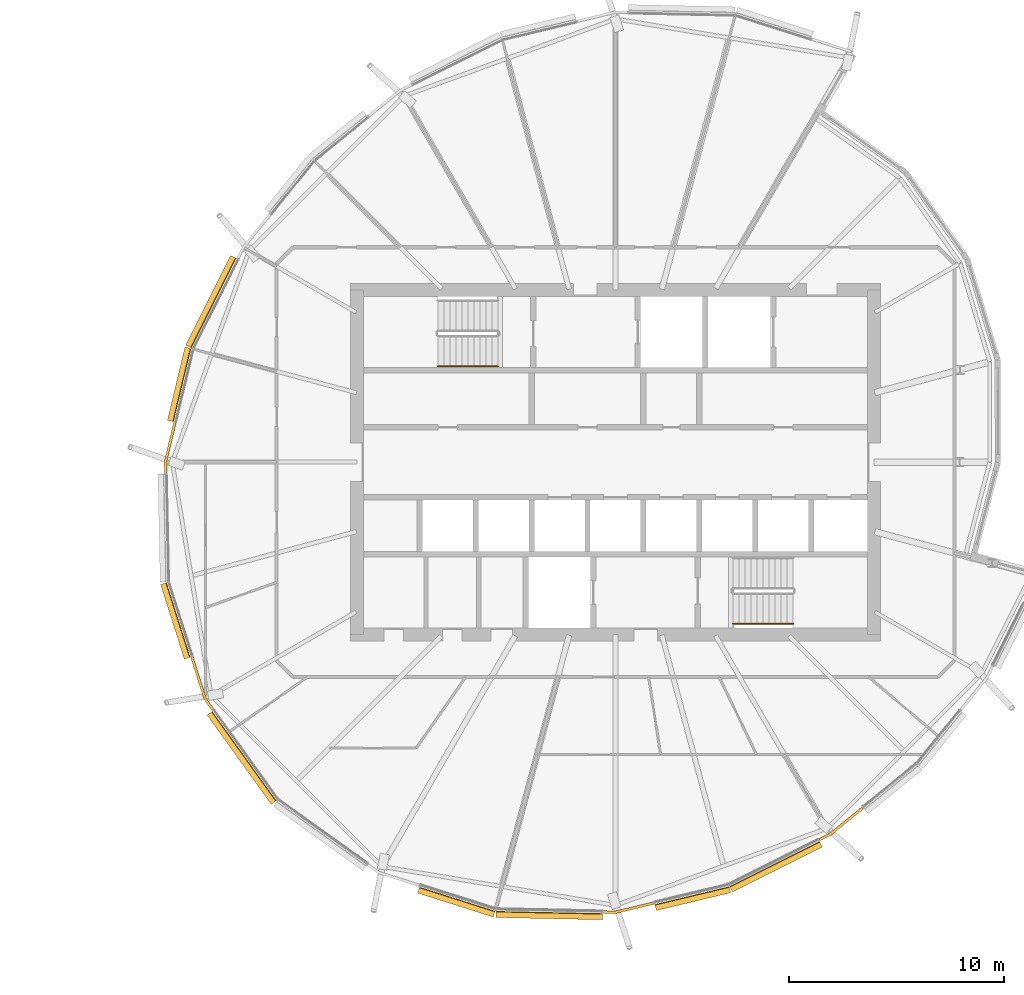
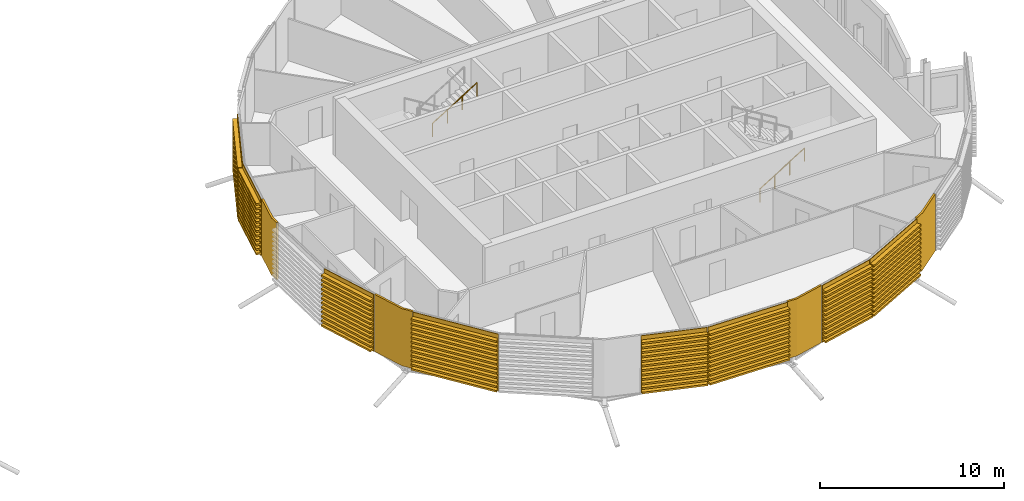
# One storey, part 34 of 36: 12 coverings, 2 railings.
"""IFC4 building model written with IfcOpenShell, lengths in metres."""

from ifc_helpers import new_model, si_unit, direction, frame, origin, origin_2d, place, context, subcontext, project, spatial, polyline, circle, outline, extrude, material, layer, layer_set, material_profile, profile_set, type_object, element, save


model = new_model("IFC4")

# Units and contexts
model_context = context("Model", 3, precision=1e-05, world=origin(), true_north=direction((0.0, 1.0)))
body_context = subcontext(model_context, "Body", "Model", "MODEL_VIEW")
ifc_project = project(units=[si_unit("LENGTHUNIT", "METRE"), si_unit("AREAUNIT", "SQUARE_METRE"), si_unit("VOLUMEUNIT", "CUBIC_METRE"), si_unit("PLANEANGLEUNIT", "RADIAN"), si_unit("MASSUNIT", "GRAM", prefix="KILO")], contexts=[model_context])

# Site, building, storey
site_placement = place(None, origin())
site = spatial("IfcSite", under=ifc_project, at=site_placement, CompositionType="ELEMENT")
building_placement = place(site_placement, origin())
building = spatial("IfcBuilding", under=site, at=building_placement, Name="Rimbun Link Towers", CompositionType="ELEMENT")
storey_placement = place(building_placement, frame((0.0, 0.0, 174.10009765625)))
storey = spatial("IfcBuildingStorey", under=building, at=storey_placement, Name="L42", CompositionType="ELEMENT", Elevation=174.10009765625)

# Coverings
ifc_material_1 = material(Name="Terracotta", Category="masonry")
ifc_layer = layer(ifc_material_1, 0.1201171875)
ifc_layer_set = layer_set([ifc_layer], Name="LINK PIER terracotta cladding 120")
covering_type_1 = type_object("IfcCoveringType", Name="LINK PIER terracotta cladding 120", PredefinedType="CLADDING", material=ifc_layer_set)
covering_1_placement = place(storey_placement, origin())
element("IfcCovering", 1, at=covering_1_placement, inside=storey, type_object=covering_type_1, Name="LINK PIER cladding", PredefinedType="CLADDING", context=body_context, shape_type="SweptSolid", body=[
    extrude(outline(polyline([(10.927734375, -0.519775390625), (10.9169921875, 0.0), (11.351806640625, 1.818603515625), (11.235107421875, 1.8466796875), (10.796630859375, 0.012939453125), (10.807861328125, -0.5224609375), (10.927734375, -0.519775390625)])), origin(), (0.0, 0.0, 1.0), 3.7998046875),
])
covering_2_placement = place(storey_placement, origin())
element("IfcCovering", 2, at=covering_2_placement, inside=storey, type_object=covering_type_1, Name="LINK PIER cladding", PredefinedType="CLADDING", context=body_context, shape_type="SweptSolid", body=[
    extrude(outline(polyline([(13.117431640625, -11.469970703125), (12.756103515625, -10.96630859375), (12.143798828125, -9.041259765625), (12.029541015625, -9.07763671875), (12.6474609375, -11.020751953125), (13.02001953125, -11.539794921875), (13.117431640625, -11.469970703125)])), origin(), (0.0, 0.0, 1.0), 3.7998046875),
])
covering_3_placement = place(storey_placement, origin())
element("IfcCovering", 3, at=covering_3_placement, inside=storey, type_object=covering_type_1, Name="LINK PIER cladding", PredefinedType="CLADDING", context=body_context, shape_type="SweptSolid", body=[
    extrude(outline(polyline([(33.52001953125, -20.40966796875), (31.75, -20.8330078125), (31.18017578125, -20.821044921875), (31.177490234375, -20.941162109375), (31.762939453125, -20.953369140625), (33.548095703125, -20.5263671875), (33.52001953125, -20.40966796875)])), origin(), (0.0, 0.0, 1.0), 3.7998046875),
])
covering_4_placement = place(storey_placement, origin())
element("IfcCovering", 4, at=covering_4_placement, inside=storey, type_object=covering_type_1, Name="LINK PIER cladding", PredefinedType="CLADDING", context=body_context, shape_type="SweptSolid", body=[
    extrude(outline(polyline([(43.1845703125, -16.01220703125), (41.692138671875, -17.22021484375), (41.1826171875, -17.47607421875), (41.236572265625, -17.583251953125), (41.757568359375, -17.321533203125), (43.260009765625, -16.10546875), (43.1845703125, -16.01220703125)])), origin(), (0.0, 0.0, 1.0), 3.7998046875),
])

# Railings
ifc_material_2 = material(Name="Stainless steel grade 316", Category="steel")
railing_type = type_object("IfcRailingType", Name="Stair handrail", PredefinedType="HANDRAIL", material=ifc_material_2)
for number, where, name in (
    (5, (23.5, 4.449951171875, 2.072509765625), "L42 ST3 stair handrail 2"),
    (6, (37.199951171875, -7.5, 0.172607421875), "L42 ST4 stair handrail 1"),
):
    element("IfcRailing", number, at=place(storey_placement, frame(where)), inside=storey, type_object=railing_type, Name=name, PredefinedType="HANDRAIL", context=body_context, shape_type="SweptSolid", body=[
        extrude(circle(Radius=0.02392578125, at=origin_2d()), frame((0.0, 0.0, 0.8759765625), z_axis=(0.851089632645, 0.0, 0.525020415988), x_axis=(0.0, 1.0, 0.0)), (0.0, 0.0, 1.0), 3.2900390625),
        extrude(circle(Radius=0.02099609375, at=origin_2d()), origin(), (0.0, 0.0, 1.0), 0.851806640625),
        extrude(circle(Radius=0.02099609375, at=origin_2d()), frame((0.933349609375, 0.0, 0.57568359375)), (0.0, 0.0, 1.0), 0.851806640625),
        extrude(circle(Radius=0.02099609375, at=origin_2d()), frame((1.86669921875, 0.0, 1.151611328125)), (0.0, 0.0, 1.0), 0.851806640625),
        extrude(circle(Radius=0.02099609375, at=origin_2d()), frame((2.800048828125, 0.0, 1.727294921875)), (0.0, 0.0, 1.0), 0.851806640625),
    ])

# Coverings
ifc_material_3 = material(Name="Terracotta", Category="masonry")
ifc_material_profile = material_profile(ifc_material_3, outline(polyline([(0.123046875, 0.0), (0.1630859375, 0.0), (0.1630859375, 0.10009765625), (0.423095703125, 0.10009765625), (0.423095703125, 0.219970703125), (0.1630859375, 0.219970703125), (0.1630859375, 0.39990234375), (0.423095703125, 0.39990234375), (0.423095703125, 0.52001953125), (0.1630859375, 0.52001953125), (0.1630859375, 0.699951171875), (0.423095703125, 0.699951171875), (0.423095703125, 0.820068359375), (0.1630859375, 0.820068359375), (0.1630859375, 1.0), (0.423095703125, 1.0), (0.423095703125, 1.1201171875), (0.1630859375, 1.1201171875), (0.1630859375, 1.300048828125), (0.423095703125, 1.300048828125), (0.423095703125, 1.419921875), (0.1630859375, 1.419921875), (0.1630859375, 1.60009765625), (0.423095703125, 1.60009765625), (0.423095703125, 1.719970703125), (0.1630859375, 1.719970703125), (0.1630859375, 1.89990234375), (0.423095703125, 1.89990234375), (0.423095703125, 2.02001953125), (0.1630859375, 2.02001953125), (0.1630859375, 2.199951171875), (0.423095703125, 2.199951171875), (0.423095703125, 2.320068359375), (0.1630859375, 2.320068359375), (0.1630859375, 2.5), (0.423095703125, 2.5), (0.423095703125, 2.6201171875), (0.1630859375, 2.6201171875), (0.1630859375, 2.800048828125), (0.423095703125, 2.800048828125), (0.423095703125, 2.919921875), (0.1630859375, 2.919921875), (0.1630859375, 3.10009765625), (0.423095703125, 3.10009765625), (0.423095703125, 3.219970703125), (0.1630859375, 3.219970703125), (0.1630859375, 3.39990234375), (0.423095703125, 3.39990234375), (0.423095703125, 3.52001953125), (0.1630859375, 3.52001953125), (0.1630859375, 3.800048828125), (0.123046875, 3.800048828125), (0.123046875, 0.0)])), Name="BAGUETTE 120X300")
ifc_profile_set = profile_set([ifc_material_profile], Name="Terracotta")
covering_type_2 = type_object("IfcCoveringType", Name="TERRACOTTA BAGUETTE 120X300 H3800", PredefinedType="CLADDING", material=ifc_profile_set)
covering_5_placement = place(storey_placement, frame((12.17138671875, 5.24609375, 0.0), z_axis=(0.448786304173, 0.893639106791, 0.0), x_axis=(-0.893639106791, 0.448786304173, 0.0)))
element("IfcCovering", 7, at=covering_5_placement, inside=storey, type_object=covering_type_2, Name="TERRACOTTA BAGUETTE", PredefinedType="CLADDING", context=body_context, shape_type="SweptSolid", body=[
    extrude(outline(polyline([(0.123046875, 0.0), (0.1630859375, 0.0), (0.1630859375, 0.10009765625), (0.423095703125, 0.10009765625), (0.423095703125, 0.219970703125), (0.1630859375, 0.219970703125), (0.1630859375, 0.39990234375), (0.423095703125, 0.39990234375), (0.423095703125, 0.52001953125), (0.1630859375, 0.52001953125), (0.1630859375, 0.699951171875), (0.423095703125, 0.699951171875), (0.423095703125, 0.820068359375), (0.1630859375, 0.820068359375), (0.1630859375, 1.0), (0.423095703125, 1.0), (0.423095703125, 1.1201171875), (0.1630859375, 1.1201171875), (0.1630859375, 1.300048828125), (0.423095703125, 1.300048828125), (0.423095703125, 1.419921875), (0.1630859375, 1.419921875), (0.1630859375, 1.60009765625), (0.423095703125, 1.60009765625), (0.423095703125, 1.719970703125), (0.1630859375, 1.719970703125), (0.1630859375, 1.89990234375), (0.423095703125, 1.89990234375), (0.423095703125, 2.02001953125), (0.1630859375, 2.02001953125), (0.1630859375, 2.199951171875), (0.423095703125, 2.199951171875), (0.423095703125, 2.320068359375), (0.1630859375, 2.320068359375), (0.1630859375, 2.5), (0.423095703125, 2.5), (0.423095703125, 2.6201171875), (0.1630859375, 2.6201171875), (0.1630859375, 2.800048828125), (0.423095703125, 2.800048828125), (0.423095703125, 2.919921875), (0.1630859375, 2.919921875), (0.1630859375, 3.10009765625), (0.423095703125, 3.10009765625), (0.423095703125, 3.219970703125), (0.1630859375, 3.219970703125), (0.1630859375, 3.39990234375), (0.423095703125, 3.39990234375), (0.423095703125, 3.52001953125), (0.1630859375, 3.52001953125), (0.1630859375, 3.800048828125), (0.123046875, 3.800048828125), (0.123046875, 0.0)])), origin(), (0.0, 0.0, 1.0), 4.655029296875),
])
covering_6_placement = place(storey_placement, frame((11.35888671875, 1.847900390625, 0.0), z_axis=(0.232543039229, 0.97258610668, 0.0), x_axis=(-0.97258610668, 0.232543039229, 0.0)))
element("IfcCovering", 8, at=covering_6_placement, inside=storey, type_object=covering_type_2, Name="TERRACOTTA BAGUETTE", PredefinedType="CLADDING", context=body_context, shape_type="SweptSolid", body=[
    extrude(outline(polyline([(0.123046875, 0.0), (0.1630859375, 0.0), (0.1630859375, 0.10009765625), (0.423095703125, 0.10009765625), (0.423095703125, 0.219970703125), (0.1630859375, 0.219970703125), (0.1630859375, 0.39990234375), (0.423095703125, 0.39990234375), (0.423095703125, 0.52001953125), (0.1630859375, 0.52001953125), (0.1630859375, 0.699951171875), (0.423095703125, 0.699951171875), (0.423095703125, 0.820068359375), (0.1630859375, 0.820068359375), (0.1630859375, 1.0), (0.423095703125, 1.0), (0.423095703125, 1.1201171875), (0.1630859375, 1.1201171875), (0.1630859375, 1.300048828125), (0.423095703125, 1.300048828125), (0.423095703125, 1.419921875), (0.1630859375, 1.419921875), (0.1630859375, 1.60009765625), (0.423095703125, 1.60009765625), (0.423095703125, 1.719970703125), (0.1630859375, 1.719970703125), (0.1630859375, 1.89990234375), (0.423095703125, 1.89990234375), (0.423095703125, 2.02001953125), (0.1630859375, 2.02001953125), (0.1630859375, 2.199951171875), (0.423095703125, 2.199951171875), (0.423095703125, 2.320068359375), (0.1630859375, 2.320068359375), (0.1630859375, 2.5), (0.423095703125, 2.5), (0.423095703125, 2.6201171875), (0.1630859375, 2.6201171875), (0.1630859375, 2.800048828125), (0.423095703125, 2.800048828125), (0.423095703125, 2.919921875), (0.1630859375, 2.919921875), (0.1630859375, 3.10009765625), (0.423095703125, 3.10009765625), (0.423095703125, 3.219970703125), (0.1630859375, 3.219970703125), (0.1630859375, 3.39990234375), (0.423095703125, 3.39990234375), (0.423095703125, 3.52001953125), (0.1630859375, 3.52001953125), (0.1630859375, 3.800048828125), (0.123046875, 3.800048828125), (0.123046875, 0.0)])), origin(), (0.0, 0.0, 1.0), 3.493896484375),
])
covering_7_placement = place(storey_placement, frame((12.134765625, -9.0126953125, 0.0), z_axis=(-0.303092698301, 0.952961078028, 0.0), x_axis=(-0.952961078028, -0.303092698301, 0.0)))
element("IfcCovering", 9, at=covering_7_placement, inside=storey, type_object=covering_type_2, Name="TERRACOTTA BAGUETTE", PredefinedType="CLADDING", context=body_context, shape_type="SweptSolid", body=[
    extrude(outline(polyline([(0.123046875, 0.0), (0.1630859375, 0.0), (0.1630859375, 0.10009765625), (0.423095703125, 0.10009765625), (0.423095703125, 0.219970703125), (0.1630859375, 0.219970703125), (0.1630859375, 0.39990234375), (0.423095703125, 0.39990234375), (0.423095703125, 0.52001953125), (0.1630859375, 0.52001953125), (0.1630859375, 0.699951171875), (0.423095703125, 0.699951171875), (0.423095703125, 0.820068359375), (0.1630859375, 0.820068359375), (0.1630859375, 1.0), (0.423095703125, 1.0), (0.423095703125, 1.1201171875), (0.1630859375, 1.1201171875), (0.1630859375, 1.300048828125), (0.423095703125, 1.300048828125), (0.423095703125, 1.419921875), (0.1630859375, 1.419921875), (0.1630859375, 1.60009765625), (0.423095703125, 1.60009765625), (0.423095703125, 1.719970703125), (0.1630859375, 1.719970703125), (0.1630859375, 1.89990234375), (0.423095703125, 1.89990234375), (0.423095703125, 2.02001953125), (0.1630859375, 2.02001953125), (0.1630859375, 2.199951171875), (0.423095703125, 2.199951171875), (0.423095703125, 2.320068359375), (0.1630859375, 2.320068359375), (0.1630859375, 2.5), (0.423095703125, 2.5), (0.423095703125, 2.6201171875), (0.1630859375, 2.6201171875), (0.1630859375, 2.800048828125), (0.423095703125, 2.800048828125), (0.423095703125, 2.919921875), (0.1630859375, 2.919921875), (0.1630859375, 3.10009765625), (0.423095703125, 3.10009765625), (0.423095703125, 3.219970703125), (0.1630859375, 3.219970703125), (0.1630859375, 3.39990234375), (0.423095703125, 3.39990234375), (0.423095703125, 3.52001953125), (0.1630859375, 3.52001953125), (0.1630859375, 3.800048828125), (0.123046875, 3.800048828125), (0.123046875, 0.0)])), origin(), (0.0, 0.0, 1.0), 3.6328125),
])
covering_8_placement = place(storey_placement, frame((16.10986328125, -15.64013671875, 0.0), z_axis=(-0.58300195101, 0.812470753393, 0.0), x_axis=(-0.812470753393, -0.58300195101, 0.0)))
element("IfcCovering", 10, at=covering_8_placement, inside=storey, type_object=covering_type_2, Name="TERRACOTTA BAGUETTE", PredefinedType="CLADDING", context=body_context, shape_type="SweptSolid", body=[
    extrude(outline(polyline([(0.123046875, 0.0), (0.1630859375, 0.0), (0.1630859375, 0.10009765625), (0.423095703125, 0.10009765625), (0.423095703125, 0.219970703125), (0.1630859375, 0.219970703125), (0.1630859375, 0.39990234375), (0.423095703125, 0.39990234375), (0.423095703125, 0.52001953125), (0.1630859375, 0.52001953125), (0.1630859375, 0.699951171875), (0.423095703125, 0.699951171875), (0.423095703125, 0.820068359375), (0.1630859375, 0.820068359375), (0.1630859375, 1.0), (0.423095703125, 1.0), (0.423095703125, 1.1201171875), (0.1630859375, 1.1201171875), (0.1630859375, 1.300048828125), (0.423095703125, 1.300048828125), (0.423095703125, 1.419921875), (0.1630859375, 1.419921875), (0.1630859375, 1.60009765625), (0.423095703125, 1.60009765625), (0.423095703125, 1.719970703125), (0.1630859375, 1.719970703125), (0.1630859375, 1.89990234375), (0.423095703125, 1.89990234375), (0.423095703125, 2.02001953125), (0.1630859375, 2.02001953125), (0.1630859375, 2.199951171875), (0.423095703125, 2.199951171875), (0.423095703125, 2.320068359375), (0.1630859375, 2.320068359375), (0.1630859375, 2.5), (0.423095703125, 2.5), (0.423095703125, 2.6201171875), (0.1630859375, 2.6201171875), (0.1630859375, 2.800048828125), (0.423095703125, 2.800048828125), (0.423095703125, 2.919921875), (0.1630859375, 2.919921875), (0.1630859375, 3.10009765625), (0.423095703125, 3.10009765625), (0.423095703125, 3.219970703125), (0.1630859375, 3.219970703125), (0.1630859375, 3.39990234375), (0.423095703125, 3.39990234375), (0.423095703125, 3.52001953125), (0.1630859375, 3.52001953125), (0.1630859375, 3.800048828125), (0.123046875, 3.800048828125), (0.123046875, 0.0)])), origin(), (0.0, 0.0, 1.0), 5.1025390625),
])
covering_9_placement = place(storey_placement, frame((26.19921875, -20.71630859375, 0.0), z_axis=(-0.952961469625, 0.30309146707, 0.0), x_axis=(-0.30309146707, -0.952961469625, 0.0)))
element("IfcCovering", 11, at=covering_9_placement, inside=storey, type_object=covering_type_2, Name="TERRACOTTA BAGUETTE", PredefinedType="CLADDING", context=body_context, shape_type="SweptSolid", body=[
    extrude(outline(polyline([(0.123046875, 0.0), (0.1630859375, 0.0), (0.1630859375, 0.10009765625), (0.423095703125, 0.10009765625), (0.423095703125, 0.219970703125), (0.1630859375, 0.219970703125), (0.1630859375, 0.39990234375), (0.423095703125, 0.39990234375), (0.423095703125, 0.52001953125), (0.1630859375, 0.52001953125), (0.1630859375, 0.699951171875), (0.423095703125, 0.699951171875), (0.423095703125, 0.820068359375), (0.1630859375, 0.820068359375), (0.1630859375, 1.0), (0.423095703125, 1.0), (0.423095703125, 1.1201171875), (0.1630859375, 1.1201171875), (0.1630859375, 1.300048828125), (0.423095703125, 1.300048828125), (0.423095703125, 1.419921875), (0.1630859375, 1.419921875), (0.1630859375, 1.60009765625), (0.423095703125, 1.60009765625), (0.423095703125, 1.719970703125), (0.1630859375, 1.719970703125), (0.1630859375, 1.89990234375), (0.423095703125, 1.89990234375), (0.423095703125, 2.02001953125), (0.1630859375, 2.02001953125), (0.1630859375, 2.199951171875), (0.423095703125, 2.199951171875), (0.423095703125, 2.320068359375), (0.1630859375, 2.320068359375), (0.1630859375, 2.5), (0.423095703125, 2.5), (0.423095703125, 2.6201171875), (0.1630859375, 2.6201171875), (0.1630859375, 2.800048828125), (0.423095703125, 2.800048828125), (0.423095703125, 2.919921875), (0.1630859375, 2.919921875), (0.1630859375, 3.10009765625), (0.423095703125, 3.10009765625), (0.423095703125, 3.219970703125), (0.1630859375, 3.219970703125), (0.1630859375, 3.39990234375), (0.423095703125, 3.39990234375), (0.423095703125, 3.52001953125), (0.1630859375, 3.52001953125), (0.1630859375, 3.800048828125), (0.123046875, 3.800048828125), (0.123046875, 0.0)])), origin(), (0.0, 0.0, 1.0), 3.682861328125),
])
covering_10_placement = place(storey_placement, frame((31.150146484375, -20.820556640625, 0.0), z_axis=(-0.999778390538, 0.021051598834, 0.0), x_axis=(-0.021051598834, -0.999778390538, 0.0)))
element("IfcCovering", 12, at=covering_10_placement, inside=storey, type_object=covering_type_2, Name="TERRACOTTA BAGUETTE", PredefinedType="CLADDING", context=body_context, shape_type="SweptSolid", body=[
    extrude(outline(polyline([(0.123046875, 0.0), (0.1630859375, 0.0), (0.1630859375, 0.10009765625), (0.423095703125, 0.10009765625), (0.423095703125, 0.219970703125), (0.1630859375, 0.219970703125), (0.1630859375, 0.39990234375), (0.423095703125, 0.39990234375), (0.423095703125, 0.52001953125), (0.1630859375, 0.52001953125), (0.1630859375, 0.699951171875), (0.423095703125, 0.699951171875), (0.423095703125, 0.820068359375), (0.1630859375, 0.820068359375), (0.1630859375, 1.0), (0.423095703125, 1.0), (0.423095703125, 1.1201171875), (0.1630859375, 1.1201171875), (0.1630859375, 1.300048828125), (0.423095703125, 1.300048828125), (0.423095703125, 1.419921875), (0.1630859375, 1.419921875), (0.1630859375, 1.60009765625), (0.423095703125, 1.60009765625), (0.423095703125, 1.719970703125), (0.1630859375, 1.719970703125), (0.1630859375, 1.89990234375), (0.423095703125, 1.89990234375), (0.423095703125, 2.02001953125), (0.1630859375, 2.02001953125), (0.1630859375, 2.199951171875), (0.423095703125, 2.199951171875), (0.423095703125, 2.320068359375), (0.1630859375, 2.320068359375), (0.1630859375, 2.5), (0.423095703125, 2.5), (0.423095703125, 2.6201171875), (0.1630859375, 2.6201171875), (0.1630859375, 2.800048828125), (0.423095703125, 2.800048828125), (0.423095703125, 2.919921875), (0.1630859375, 2.919921875), (0.1630859375, 3.10009765625), (0.423095703125, 3.10009765625), (0.423095703125, 3.219970703125), (0.1630859375, 3.219970703125), (0.1630859375, 3.39990234375), (0.423095703125, 3.39990234375), (0.423095703125, 3.52001953125), (0.1630859375, 3.52001953125), (0.1630859375, 3.800048828125), (0.123046875, 3.800048828125), (0.123046875, 0.0)])), origin(), (0.0, 0.0, 1.0), 4.951904296875),
])
covering_11_placement = place(storey_placement, frame((36.99609375, -19.57861328125, 0.0), z_axis=(-0.972579569149, -0.232570380043, 0.0), x_axis=(0.232570380043, -0.972579569149, 0.0)))
element("IfcCovering", 13, at=covering_11_placement, inside=storey, type_object=covering_type_2, Name="TERRACOTTA BAGUETTE", PredefinedType="CLADDING", context=body_context, shape_type="SweptSolid", body=[
    extrude(outline(polyline([(0.123046875, 0.0), (0.1630859375, 0.0), (0.1630859375, 0.10009765625), (0.423095703125, 0.10009765625), (0.423095703125, 0.219970703125), (0.1630859375, 0.219970703125), (0.1630859375, 0.39990234375), (0.423095703125, 0.39990234375), (0.423095703125, 0.52001953125), (0.1630859375, 0.52001953125), (0.1630859375, 0.699951171875), (0.423095703125, 0.699951171875), (0.423095703125, 0.820068359375), (0.1630859375, 0.820068359375), (0.1630859375, 1.0), (0.423095703125, 1.0), (0.423095703125, 1.1201171875), (0.1630859375, 1.1201171875), (0.1630859375, 1.300048828125), (0.423095703125, 1.300048828125), (0.423095703125, 1.419921875), (0.1630859375, 1.419921875), (0.1630859375, 1.60009765625), (0.423095703125, 1.60009765625), (0.423095703125, 1.719970703125), (0.1630859375, 1.719970703125), (0.1630859375, 1.89990234375), (0.423095703125, 1.89990234375), (0.423095703125, 2.02001953125), (0.1630859375, 2.02001953125), (0.1630859375, 2.199951171875), (0.423095703125, 2.199951171875), (0.423095703125, 2.320068359375), (0.1630859375, 2.320068359375), (0.1630859375, 2.5), (0.423095703125, 2.5), (0.423095703125, 2.6201171875), (0.1630859375, 2.6201171875), (0.1630859375, 2.800048828125), (0.423095703125, 2.800048828125), (0.423095703125, 2.919921875), (0.1630859375, 2.919921875), (0.1630859375, 3.10009765625), (0.423095703125, 3.10009765625), (0.423095703125, 3.219970703125), (0.1630859375, 3.219970703125), (0.1630859375, 3.39990234375), (0.423095703125, 3.39990234375), (0.423095703125, 3.52001953125), (0.1630859375, 3.52001953125), (0.1630859375, 3.800048828125), (0.123046875, 3.800048828125), (0.123046875, 0.0)])), origin(), (0.0, 0.0, 1.0), 3.5439453125),
])
covering_12_placement = place(storey_placement, frame((41.156005859375, -17.489501953125, 0.0), z_axis=(-0.893639106791, -0.448786304173, 0.0), x_axis=(0.448786304173, -0.893639106791, 0.0)))
element("IfcCovering", 14, at=covering_12_placement, inside=storey, type_object=covering_type_2, Name="TERRACOTTA BAGUETTE", PredefinedType="CLADDING", context=body_context, shape_type="SweptSolid", body=[
    extrude(outline(polyline([(0.123046875, 0.0), (0.1630859375, 0.0), (0.1630859375, 0.10009765625), (0.423095703125, 0.10009765625), (0.423095703125, 0.219970703125), (0.1630859375, 0.219970703125), (0.1630859375, 0.39990234375), (0.423095703125, 0.39990234375), (0.423095703125, 0.52001953125), (0.1630859375, 0.52001953125), (0.1630859375, 0.699951171875), (0.423095703125, 0.699951171875), (0.423095703125, 0.820068359375), (0.1630859375, 0.820068359375), (0.1630859375, 1.0), (0.423095703125, 1.0), (0.423095703125, 1.1201171875), (0.1630859375, 1.1201171875), (0.1630859375, 1.300048828125), (0.423095703125, 1.300048828125), (0.423095703125, 1.419921875), (0.1630859375, 1.419921875), (0.1630859375, 1.60009765625), (0.423095703125, 1.60009765625), (0.423095703125, 1.719970703125), (0.1630859375, 1.719970703125), (0.1630859375, 1.89990234375), (0.423095703125, 1.89990234375), (0.423095703125, 2.02001953125), (0.1630859375, 2.02001953125), (0.1630859375, 2.199951171875), (0.423095703125, 2.199951171875), (0.423095703125, 2.320068359375), (0.1630859375, 2.320068359375), (0.1630859375, 2.5), (0.423095703125, 2.5), (0.423095703125, 2.6201171875), (0.1630859375, 2.6201171875), (0.1630859375, 2.800048828125), (0.423095703125, 2.800048828125), (0.423095703125, 2.919921875), (0.1630859375, 2.919921875), (0.1630859375, 3.10009765625), (0.423095703125, 3.10009765625), (0.423095703125, 3.219970703125), (0.1630859375, 3.219970703125), (0.1630859375, 3.39990234375), (0.423095703125, 3.39990234375), (0.423095703125, 3.52001953125), (0.1630859375, 3.52001953125), (0.1630859375, 3.800048828125), (0.123046875, 3.800048828125), (0.123046875, 0.0)])), origin(), (0.0, 0.0, 1.0), 4.655029296875),
])

save(model, "model.ifc")
